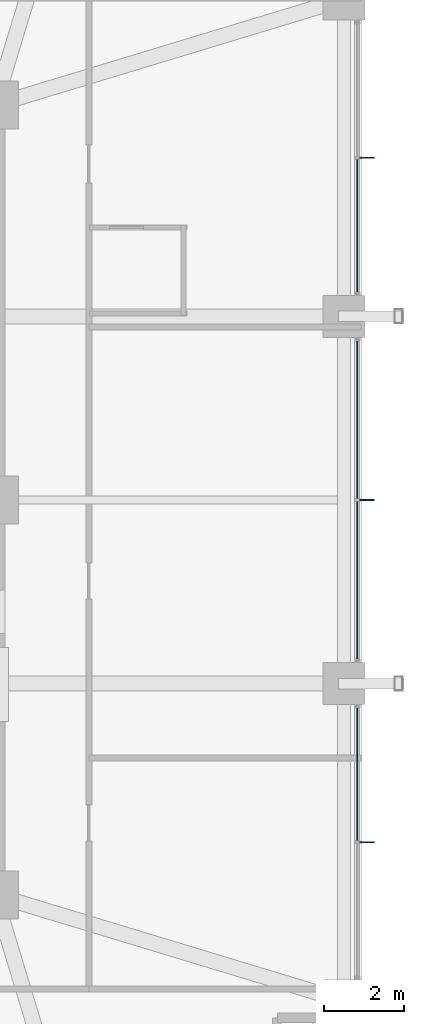
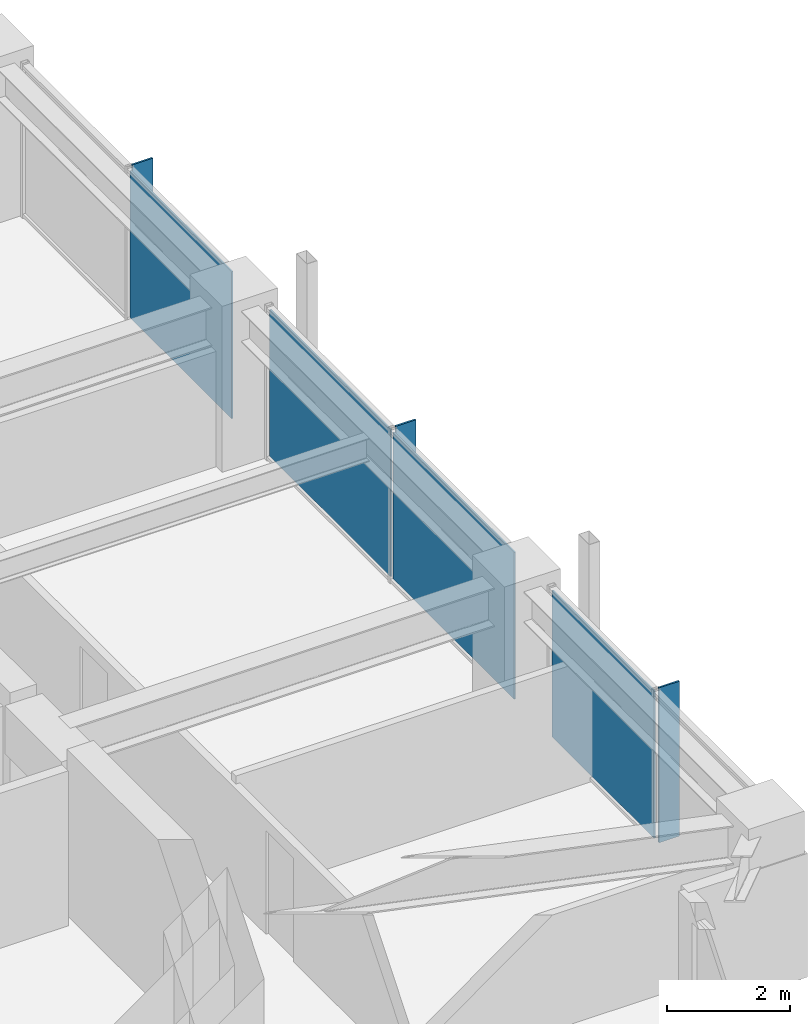
# One storey, part 23 of 31: 7 plates, 3 elements without a shape of their own.
"""IFC4 building model written with IfcOpenShell, lengths in metres."""

import ifcopenshell
import ifcopenshell.guid

model = None  # the IFC model being written
_history = None  # IfcOwnerHistory: only IFC2X3 demands one
_inside = {}  # id of a spatial element -> (the spatial element, [elements in it])
_under = {}  # id of a project, library or spatial element -> (it, [spatial elements below it])
_declared = {}  # id of a project -> (the project, [libraries it declares])
_typed = {}  # id of a type object -> (the type object, [elements of that type])
_made_of = {}  # id of a material, layer set ... -> (it, [elements and type objects made of it])


def new_model(schema):
    """Start an empty IFC model of exactly this schema.

    Asked for "IFC4X3", IfcOpenShell would pick the latest addendum, in which some entities
    have other attributes; the version numbers below select the first issue.
    IFC2X3 requires an IfcOwnerHistory on every rooted entity: one is made here for all.
    """
    global model, _history
    if schema == "IFC4X3":
        model = ifcopenshell.file(schema_version=(4, 3, 0, 0))
    else:
        model = ifcopenshell.file(schema=schema)
    _inside.clear()
    _under.clear()
    _declared.clear()
    _typed.clear()
    _made_of.clear()
    _history = None
    if model.schema == "IFC2X3":
        org = make("IfcOrganization", Name="unknown")
        user = make(
            "IfcPersonAndOrganization",
            ThePerson=make("IfcPerson", FamilyName="unknown"),
            TheOrganization=org,
        )
        app = make(
            "IfcApplication",
            ApplicationDeveloper=org,
            Version="unknown",
            ApplicationFullName="unknown",
            ApplicationIdentifier="unknown",
        )
        _history = make(
            "IfcOwnerHistory",
            OwningUser=user,
            OwningApplication=app,
            ChangeAction="ADDED",
            CreationDate=0,
        )
    return model


def make(cls, **values):
    """One entity of the class cls with the attributes given. An attribute that is None is left unset."""
    return model.create_entity(
        cls, **{name: value for name, value in values.items() if value is not None}
    )


def rooted(cls, **values):
    """An entity with a GlobalId (a new one), such as an element, a storey or a relation."""
    return make(cls, GlobalId=ifcopenshell.guid.new(), OwnerHistory=_history, **values)


def si_unit(unit_type, name, prefix=None):
    """IfcSIUnit, for example si_unit("LENGTHUNIT", "METRE", prefix="MILLI")."""
    return make("IfcSIUnit", UnitType=unit_type, Prefix=prefix, Name=name)


def assignment(units):
    """IfcUnitAssignment: the units of a project."""
    return None if units is None else make("IfcUnitAssignment", Units=units)


def point(xyz):
    """IfcCartesianPoint."""
    return None if xyz is None else make("IfcCartesianPoint", Coordinates=xyz)


def direction(xyz):
    """IfcDirection."""
    return None if xyz is None else make("IfcDirection", DirectionRatios=xyz)


def frame(location, z_axis=None, x_axis=None):
    """IfcAxis2Placement3D, a coordinate frame: its origin and axes. An axis left out is left unset."""
    return make(
        "IfcAxis2Placement3D",
        Location=point(location),
        Axis=direction(z_axis),
        RefDirection=direction(x_axis),
    )


def frame_2d(location, x_axis=None):
    """IfcAxis2Placement2D, a coordinate frame in the plane: its origin and x axis."""
    return make(
        "IfcAxis2Placement2D", Location=point(location), RefDirection=direction(x_axis)
    )


def origin():
    """The frame at (0, 0, 0) with its axes left unset."""
    return frame((0.0, 0.0, 0.0))


def origin_2d():
    """The frame at (0, 0) in the plane with its x axis left unset."""
    return frame_2d((0.0, 0.0))


def place(relative_to, where):
    """IfcLocalPlacement: puts the frame where relative to a parent placement (None: the world)."""
    return make(
        "IfcLocalPlacement", PlacementRelTo=relative_to, RelativePlacement=where
    )


def context(
    kind, dimensions, precision=None, world=None, true_north=None, identifier=None
):
    """IfcGeometricRepresentationContext, for example the 3D "Model" context."""
    return make(
        "IfcGeometricRepresentationContext",
        ContextIdentifier=identifier,
        ContextType=kind,
        CoordinateSpaceDimension=dimensions,
        Precision=precision,
        WorldCoordinateSystem=world,
        TrueNorth=true_north,
    )


def subcontext(parent, identifier, kind, view, scale=None):
    """IfcGeometricRepresentationSubContext, for example "Body" below "Model"."""
    return make(
        "IfcGeometricRepresentationSubContext",
        ContextIdentifier=identifier,
        ContextType=kind,
        ParentContext=parent,
        TargetScale=scale,
        TargetView=view,
    )


def project(units=None, contexts=None):
    """IfcProject with its units and contexts."""
    return rooted(
        "IfcProject",
        Name="project",
        RepresentationContexts=contexts,
        UnitsInContext=assignment(units),
    )


def spatial(cls, under=None, at=None, **own):
    """A site, building, storey or space (cls), placed at a placement, below another one or the project."""
    s = rooted(cls, ObjectPlacement=at, **own)
    if under is not None:
        _under.setdefault(under.id(), (under, []))[1].append(s)
    return s


def profile(cls, at=None, kind="AREA", **sizes):
    """A parametric profile (cls). Its sizes go by their IFC names, for example OverallWidth=200.0."""
    return make(cls, ProfileType=kind, Position=at, **sizes)


def rectangle(**sizes):
    """IfcRectangleProfileDef."""
    return profile("IfcRectangleProfileDef", **sizes)


def extrude(swept, where, along, depth):
    """IfcExtrudedAreaSolid: the profile swept, set in the frame where, extruded along a direction by depth."""
    return make(
        "IfcExtrudedAreaSolid",
        SweptArea=swept,
        Position=where,
        ExtrudedDirection=direction(along),
        Depth=depth,
    )


def shape(context_of_items, identifier, shape_type, items):
    """IfcShapeRepresentation: the items that make up one representation, for example the "Body"."""
    return make(
        "IfcShapeRepresentation",
        ContextOfItems=context_of_items,
        RepresentationIdentifier=identifier,
        RepresentationType=shape_type,
        Items=items,
    )


def material(Name=None, Category=None):
    """IfcMaterial."""
    return make("IfcMaterial", Name=Name, Category=Category)


def layer(
    of_material, thickness, ventilated=None, Name=None, Category=None, Priority=None
):
    """IfcMaterialLayer: one layer of a wall or slab, of a material (None: an air gap)."""
    return make(
        "IfcMaterialLayer",
        Material=of_material,
        LayerThickness=thickness,
        IsVentilated=ventilated,
        Name=Name,
        Category=Category,
        Priority=Priority,
    )


def layer_set(layers, Name=None):
    """IfcMaterialLayerSet."""
    return make("IfcMaterialLayerSet", MaterialLayers=layers, LayerSetName=Name)


def made_of(thing, what):
    """Note that an element or type object is made of a material, layer set ...; save() writes the relation."""
    if what is not None:
        _made_of.setdefault(what.id(), (what, []))[1].append(thing)
    return thing


def type_object(cls, material=None, **own):
    """A type object (cls), such as IfcWallType, which elements share."""
    return made_of(rooted(cls, **own), material)


def element(
    cls,
    number,
    at=None,
    inside=None,
    cuts=None,
    type_object=None,
    material=None,
    context=None,
    identifier="Body",
    shape_type=None,
    held_by="IfcProductDefinitionShape",
    body=None,
    shapes=None,
    **own,
):
    """One element of the class cls, such as IfcWall. Its Tag is "e" and its number.

    at: its placement. inside: the storey or other place that contains it. cuts: it is an
    opening in that element (IfcRelVoidsElement). A single representation is given by context,
    identifier, shape_type and body (its items); several are given by shapes. held_by: the class
    of the entity that holds the representations. save() writes the other relations.
    """
    e = rooted(cls, Tag="e%d" % number, ObjectPlacement=at, **own)
    if body is not None:
        shapes = [shape(context, identifier, shape_type, body)]
    if shapes is not None:
        e.Representation = make(held_by, Representations=shapes)
    if inside is not None:
        _inside.setdefault(inside.id(), (inside, []))[1].append(e)
    if cuts is not None:
        rooted(
            "IfcRelVoidsElement", RelatingBuildingElement=cuts, RelatedOpeningElement=e
        )
    if type_object is not None:
        _typed.setdefault(type_object.id(), (type_object, []))[1].append(e)
    return made_of(e, material)


def aggregate(whole, parts):
    """IfcRelAggregates: a whole, such as a stair, and the parts it consists of."""
    return rooted("IfcRelAggregates", RelatingObject=whole, RelatedObjects=parts)


def save(model, path):
    """Write the relations noted so far, then the file.

    IfcRelAggregates (storeys below a building ...), IfcRelContainedInSpatialStructure (elements
    in a storey), IfcRelDefinesByType, IfcRelAssociatesMaterial and IfcRelDeclares: one each for
    every whole, place, type object, material and project.
    """
    for whole, parts in _under.values():
        aggregate(whole, parts)
    for where, things in _inside.values():
        rooted(
            "IfcRelContainedInSpatialStructure",
            RelatedElements=things,
            RelatingStructure=where,
        )
    for kind, things in _typed.values():
        rooted("IfcRelDefinesByType", RelatedObjects=things, RelatingType=kind)
    for what, things in _made_of.values():
        rooted("IfcRelAssociatesMaterial", RelatedObjects=things, RelatingMaterial=what)
    for by, libraries in _declared.values():
        rooted("IfcRelDeclares", RelatingContext=by, RelatedDefinitions=libraries)
    model.write(path)


model = new_model("IFC4")

# Units and contexts
model_context = context("Model", 3, precision=1e-05, world=origin(), true_north=direction((0.0, 1.0)))
body_context = subcontext(model_context, "Body", "Model", "MODEL_VIEW")
ifc_project = project(units=[si_unit("LENGTHUNIT", "METRE"), si_unit("AREAUNIT", "SQUARE_METRE"), si_unit("VOLUMEUNIT", "CUBIC_METRE"), si_unit("PLANEANGLEUNIT", "RADIAN"), si_unit("MASSUNIT", "GRAM", prefix="KILO")], contexts=[model_context])

# Site, building, storey
site_placement = place(None, origin())
site = spatial("IfcSite", under=ifc_project, at=site_placement, CompositionType="ELEMENT")
building_placement = place(site_placement, origin())
building = spatial("IfcBuilding", under=site, at=building_placement, Name="Kolvaren Belvedere", CompositionType="ELEMENT")
storey_placement = place(building_placement, frame((0.0, 0.0, 118.39990234375)))
storey = spatial("IfcBuildingStorey", under=building, at=storey_placement, Name="L34", CompositionType="ELEMENT", Elevation=118.39990234375)

# Curtain wall, plate
ifc_material_1 = material(Name="Anodised pale-metal aluminium AA 6063-T6", Category="aluminium")
curtain_wall_type = type_object("IfcCurtainWallType", Name="CW-Z3-WAIST", PredefinedType="NOTDEFINED", material=ifc_material_1)
curtain_wall_1_placement = place(storey_placement, origin())
curtain_wall_1 = element("IfcCurtainWall", 1, at=curtain_wall_1_placement, inside=storey, type_object=curtain_wall_type, Name="L34 Unitised Curtain Wall FCW-L34-E-B1", PredefinedType="NOTDEFINED")
ifc_material_2 = material(Name="Low-iron triple insulated glass", Category="glass")
ifc_layer_1 = layer(ifc_material_2, 0.028076171875)
ifc_layer_set_1 = layer_set([ifc_layer_1], Name="Low-iron triple insulated glass")
plate_type_1 = type_object("IfcPlateType", Name="CW-PNL-VIS28", PredefinedType="CURTAIN_PANEL", material=ifc_layer_set_1)
plate_1_placement = place(storey_placement, frame((18.97998046875, 6.876220703125, 0.080078125), z_axis=(0.0, 0.0, 1.0), x_axis=(0.0, -1.0, 0.0)))
plate_1 = element("IfcPlate", 2, at=plate_1_placement, type_object=plate_type_1, Name="FCW-L34-E-B1 Vision Glazing Panel 2", PredefinedType="CURTAIN_PANEL", context=body_context, shape_type="SweptSolid", body=[
    extrude(rectangle(XDim=3.3173828125, YDim=0.028076171875, at=origin_2d()), origin(), (0.0, 0.0, 1.0), 2.919921875),
])
aggregate(curtain_wall_1, [plate_1])

# Curtain wall, plates
curtain_wall_2_placement = place(storey_placement, origin())
curtain_wall_2 = element("IfcCurtainWall", 3, at=curtain_wall_2_placement, inside=storey, type_object=curtain_wall_type, Name="L34 Unitised Curtain Wall FCW-L34-E-B2", PredefinedType="NOTDEFINED")
plate_2_placement = place(storey_placement, frame((18.97998046875, 2.01123046875, 0.080078125), z_axis=(0.0, 0.0, 1.0), x_axis=(0.0, -1.0, 0.0)))
plate_2 = element("IfcPlate", 4, at=plate_2_placement, type_object=plate_type_1, Name="FCW-L34-E-B2 Vision Glazing Panel 1", PredefinedType="CURTAIN_PANEL", context=body_context, shape_type="SweptSolid", body=[
    extrude(rectangle(XDim=3.9423828125, YDim=0.028076171875, at=origin_2d()), origin(), (0.0, 0.0, 1.0), 2.919921875),
])
plate_3_placement = place(storey_placement, frame((18.97998046875, -2.01123046875, 0.080078125), z_axis=(0.0, 0.0, 1.0), x_axis=(0.0, -1.0, 0.0)))
plate_3 = element("IfcPlate", 5, at=plate_3_placement, type_object=plate_type_1, Name="FCW-L34-E-B2 Vision Glazing Panel 2", PredefinedType="CURTAIN_PANEL", context=body_context, shape_type="SweptSolid", body=[
    extrude(rectangle(XDim=3.9423828125, YDim=0.028076171875, at=origin_2d()), origin(), (0.0, 0.0, 1.0), 2.919921875),
])
aggregate(curtain_wall_2, [plate_2, plate_3])

# Curtain wall, plate
curtain_wall_3_placement = place(storey_placement, origin())
curtain_wall_3 = element("IfcCurtainWall", 6, at=curtain_wall_3_placement, inside=storey, type_object=curtain_wall_type, Name="L34 Unitised Curtain Wall FCW-L34-E-B3", PredefinedType="NOTDEFINED")
plate_4_placement = place(storey_placement, frame((18.97998046875, -6.876220703125, 0.080078125), z_axis=(0.0, 0.0, 1.0), x_axis=(0.0, -1.0, 0.0)))
plate_4 = element("IfcPlate", 7, at=plate_4_placement, type_object=plate_type_1, Name="FCW-L34-E-B3 Vision Glazing Panel 1", PredefinedType="CURTAIN_PANEL", context=body_context, shape_type="SweptSolid", body=[
    extrude(rectangle(XDim=3.3173828125, YDim=0.028076171875, at=origin_2d()), origin(), (0.0, 0.0, 1.0), 2.919921875),
])
aggregate(curtain_wall_3, [plate_4])

# Plates
ifc_material_3 = material(Name="Anodised pale-metal aluminium AA 6063-T6", Category="aluminium")
ifc_layer_2 = layer(ifc_material_3, 0.033935546875)
ifc_layer_set_2 = layer_set([ifc_layer_2], Name="Anodised pale-metal aluminium AA 6063-T6")
plate_type_2 = type_object("IfcPlateType", Name="FIN-VERT-380", PredefinedType="USERDEFINED", material=ifc_layer_set_2)
for number, where, z_axis, x_axis, name in (
    (8, (19.219970703125, 8.574951171875, 0.0), (0.0, 0.0, 1.0), (1.0, 0.0, 0.0), "L34 Pale-Metal Vertical Shading Fin FCW-L34-E-B1-1"),
    (9, (19.219970703125, 0.0, 0.0), (0.0, 0.0, 1.0), (1.0, 0.0, 0.0), "L34 Pale-Metal Vertical Shading Fin FCW-L34-E-B2-1"),
    (10, (19.219970703125, -8.574951171875, 0.0), (0.0, 0.0, 1.0), (1.0, 0.0, 0.0), "L34 Pale-Metal Vertical Shading Fin FCW-L34-E-B3-1"),
):
    element("IfcPlate", number, at=place(storey_placement, frame(where, z_axis=z_axis, x_axis=x_axis)), inside=storey, type_object=plate_type_2, Name=name, ObjectType="VERTICAL FIN", PredefinedType="USERDEFINED", context=body_context, shape_type="SweptSolid", body=[
        extrude(rectangle(XDim=0.3798828125, YDim=0.033935546875, at=origin_2d()), origin(), (0.0, 0.0, 1.0), 3.080078125),
    ])

save(model, "model.ifc")
